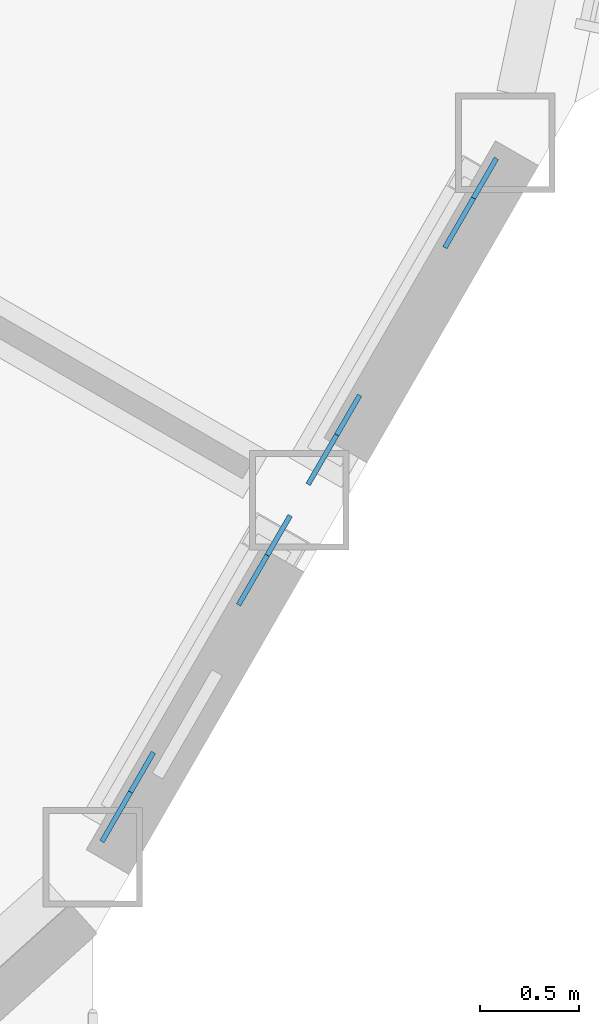
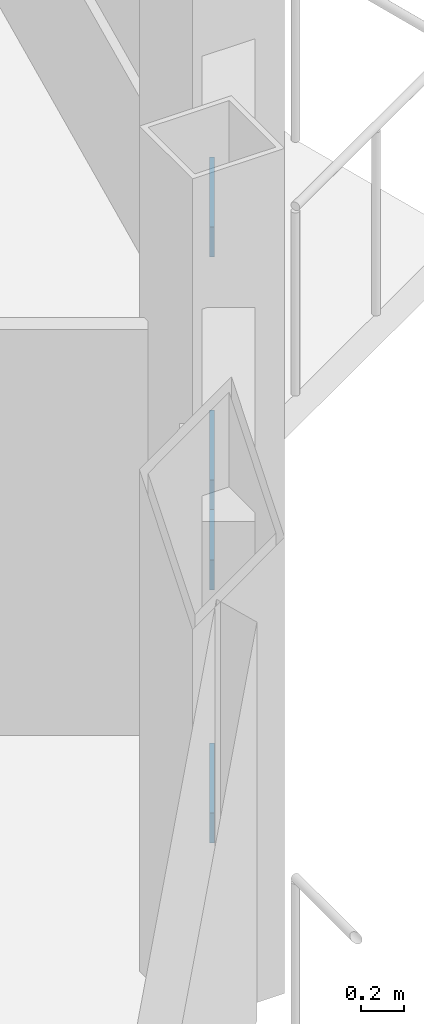
# One storey, part 20 of 26: 4 discrete accessories.
"""IFC4 building model written with IfcOpenShell, lengths in metres."""

from ifc_helpers import new_model, si_unit, direction, frame, origin, origin_2d, place, context, subcontext, project, spatial, rectangle, extrude, material, material_profile, profile_set, type_object, element, save


model = new_model("IFC4")

# Units and contexts
model_context = context("Model", 3, precision=1e-05, world=origin(), true_north=direction((0.0, 1.0)))
body_context = subcontext(model_context, "Body", "Model", "MODEL_VIEW")
ifc_project = project(units=[si_unit("LENGTHUNIT", "METRE"), si_unit("AREAUNIT", "SQUARE_METRE"), si_unit("VOLUMEUNIT", "CUBIC_METRE"), si_unit("PLANEANGLEUNIT", "RADIAN"), si_unit("MASSUNIT", "GRAM", prefix="KILO")], contexts=[model_context])

# Site, building, storey
site_placement = place(None, origin())
site = spatial("IfcSite", under=ifc_project, at=site_placement, CompositionType="ELEMENT")
building_placement = place(site_placement, origin())
building = spatial("IfcBuilding", under=site, at=building_placement, Name="Cormorant Prow Tower", CompositionType="ELEMENT")
storey_placement = place(building_placement, frame((0.0, 0.0, 388.199951171875)))
storey = spatial("IfcBuildingStorey", under=building, at=storey_placement, Name="L88", CompositionType="ELEMENT", Elevation=388.199951171875)

# Discrete accessories
ifc_material = material(Name="Structural steel ASTM A500 Gr C", Category="steel")
ifc_material_profile = material_profile(ifc_material, rectangle(XDim=0.02490234375, YDim=0.405029296875, at=origin_2d()), Name="Gusset plate 25x405")
ifc_profile_set = profile_set([ifc_material_profile], Name="Structural steel ASTM A500 Gr C")
discrete_accessory_type = type_object("IfcDiscreteAccessoryType", Name="Gusset plate 25x405", PredefinedType="BRACKET", material=ifc_profile_set)
discrete_accessory_1_placement = place(storey_placement, frame((26.246826171875, -16.978271484375, 0.941162109375), z_axis=(-0.411595697368, -0.712269842394, -0.568560158228), x_axis=(0.865832418869, -0.500334110806, 0.0)))
element("IfcDiscreteAccessory", 1, at=discrete_accessory_1_placement, inside=storey, type_object=discrete_accessory_type, Name="Gusset plate GP3 L88.ESE00.g0", PredefinedType="BRACKET", context=body_context, shape_type="SweptSolid", body=[
    extrude(rectangle(XDim=0.02490234375, YDim=0.405029296875, at=origin_2d()), origin(), (0.0, 0.0, 1.0), 0.349853515625),
])
discrete_accessory_2_placement = place(storey_placement, frame((26.7900390625, -16.037109375, 1.692626953125), z_axis=(0.411432439557, 0.711987323368, 0.5690319842), x_axis=(-0.865832418869, 0.500334110806, 0.0)))
element("IfcDiscreteAccessory", 2, at=discrete_accessory_2_placement, inside=storey, type_object=discrete_accessory_type, Name="Gusset plate GP3 L88.ESE00.g1", PredefinedType="BRACKET", context=body_context, shape_type="SweptSolid", body=[
    extrude(rectangle(XDim=0.02490234375, YDim=0.405029296875, at=origin_2d()), origin(), (0.0, 0.0, 1.0), 0.35009765625),
])
discrete_accessory_3_placement = place(storey_placement, frame((27.28369140625, -15.182373046875, 0.941162109375), z_axis=(-0.411595697368, -0.712269842394, -0.568560158228), x_axis=(0.865832418869, -0.500334110806, 0.0)))
element("IfcDiscreteAccessory", 3, at=discrete_accessory_3_placement, inside=storey, type_object=discrete_accessory_type, Name="Gusset plate GP3 L88.ESE01.g0", PredefinedType="BRACKET", context=body_context, shape_type="SweptSolid", body=[
    extrude(rectangle(XDim=0.02490234375, YDim=0.405029296875, at=origin_2d()), origin(), (0.0, 0.0, 1.0), 0.349853515625),
])
discrete_accessory_4_placement = place(storey_placement, frame((27.8271484375, -14.2412109375, 1.692626953125), z_axis=(0.410852891059, 0.712191514043, 0.569195176748), x_axis=(-0.866199709737, 0.499697971631, 0.0)))
element("IfcDiscreteAccessory", 4, at=discrete_accessory_4_placement, inside=storey, type_object=discrete_accessory_type, Name="Gusset plate GP3 L88.ESE01.g1", PredefinedType="BRACKET", context=body_context, shape_type="SweptSolid", body=[
    extrude(rectangle(XDim=0.02490234375, YDim=0.405029296875, at=origin_2d()), origin(), (0.0, 0.0, 1.0), 0.35009765625),
])

save(model, "model.ifc")
